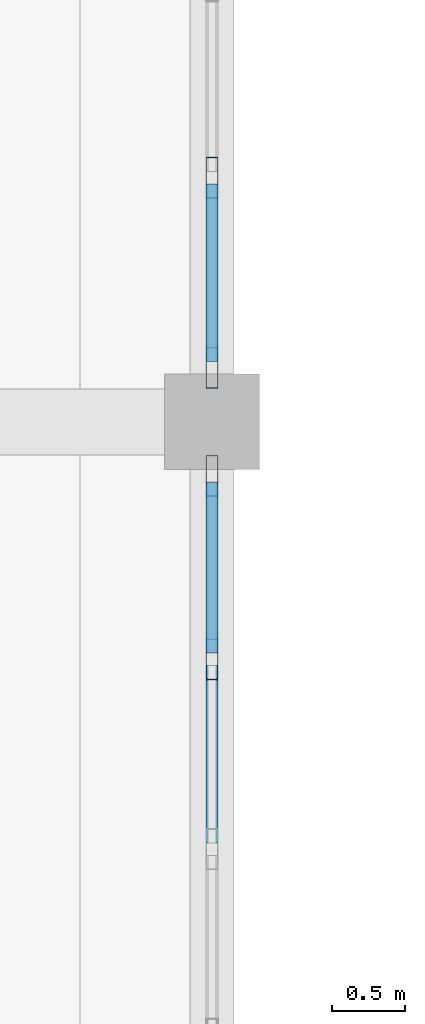
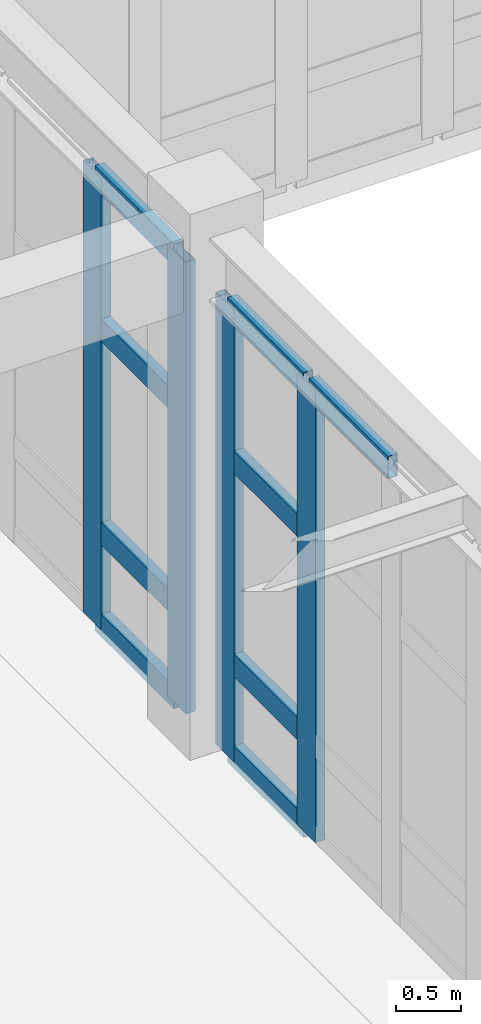
# One storey, part 29 of 80: 13 members, 2 elements without a shape of their own.
"""IFC4 building model written with IfcOpenShell, lengths in metres."""

from ifc_helpers import new_model, si_unit, direction, frame, origin, origin_2d, place, context, subcontext, project, spatial, hollow_rectangle, extrude, material, layer, layer_set, material_profile, profile_set, type_object, element, aggregate, save


model = new_model("IFC4")

# Units and contexts
model_context = context("Model", 3, precision=1e-05, world=origin(), true_north=direction((0.0, 1.0)))
body_context = subcontext(model_context, "Body", "Model", "MODEL_VIEW")
ifc_project = project(units=[si_unit("LENGTHUNIT", "METRE"), si_unit("AREAUNIT", "SQUARE_METRE"), si_unit("VOLUMEUNIT", "CUBIC_METRE"), si_unit("PLANEANGLEUNIT", "RADIAN"), si_unit("MASSUNIT", "GRAM", prefix="KILO")], contexts=[model_context])

# Site, building, storey
site_placement = place(None, origin())
site = spatial("IfcSite", under=ifc_project, at=site_placement, CompositionType="ELEMENT")
building_placement = place(site_placement, origin())
building = spatial("IfcBuilding", under=site, at=building_placement, Name="Krzemoval Escarpment Law Courts", CompositionType="ELEMENT")
storey_placement = place(building_placement, origin())
storey = spatial("IfcBuildingStorey", under=building, at=storey_placement, Name="L00", CompositionType="ELEMENT", Elevation=0.0)

# Curtain wall, members
ifc_material_1 = material(Name="Aluminium 6063-T6", Category="aluminium")
ifc_layer = layer(ifc_material_1, 0.280029296875)
ifc_layer_set = layer_set([ifc_layer], Name="Aluminium 6063-T6")
curtain_wall_type = type_object("IfcCurtainWallType", Name="CW-HALL-5100", PredefinedType="USERDEFINED", material=ifc_layer_set)
curtain_wall_1_placement = place(storey_placement, origin())
curtain_wall_1 = element("IfcCurtainWall", 1, at=curtain_wall_1_placement, inside=storey, type_object=curtain_wall_type, Name="Unitised Curtain Wall FCW-L00-015", ObjectType="UNITISED_CURTAIN_WALL", PredefinedType="USERDEFINED")
ifc_material_2 = material(Name="Aluminium 6063-T6", Category="aluminium")
ifc_material_profile_1 = material_profile(ifc_material_2, hollow_rectangle(XDim=0.0849609375, YDim=0.280029296875, WallThickness=0.005615234375, at=origin_2d()), Name="ALU M85x280")
ifc_profile_set_1 = profile_set([ifc_material_profile_1], Name="Aluminium 6063-T6")
member_type_1 = type_object("IfcMemberType", Name="CWM-85x280", PredefinedType="MULLION", material=ifc_profile_set_1)
member_1_placement = place(storey_placement, frame((42.0, 95.262451171875, 0.0), z_axis=(0.0, 0.0, 1.0), x_axis=(1.0, 0.0, 0.0)))
member_1 = element("IfcMember", 2, at=member_1_placement, type_object=member_type_1, Name="FCW-L00-015 mullion 4", PredefinedType="MULLION", context=body_context, shape_type="SweptSolid", body=[
    extrude(hollow_rectangle(XDim=0.0849609375, YDim=0.280029296875, WallThickness=0.005615234375, at=origin_2d()), origin(), (0.0, 0.0, 1.0), 4.219970703125),
])
member_2_placement = place(storey_placement, frame((42.0, 93.967529296875, 0.0), z_axis=(0.0, 0.0, 1.0), x_axis=(1.0, 0.0, 0.0)))
member_2 = element("IfcMember", 3, at=member_2_placement, type_object=member_type_1, Name="FCW-L00-015 mullion 5", PredefinedType="MULLION", context=body_context, shape_type="SweptSolid", body=[
    extrude(hollow_rectangle(XDim=0.0849609375, YDim=0.280029296875, WallThickness=0.005615234375, at=origin_2d()), origin(), (0.0, 0.0, 1.0), 4.219970703125),
])

curtain_wall_2_placement = place(storey_placement, origin())
curtain_wall_2 = element("IfcCurtainWall", 4, at=curtain_wall_2_placement, inside=storey, type_object=curtain_wall_type, Name="Unitised Curtain Wall FCW-L00-016", ObjectType="UNITISED_CURTAIN_WALL", PredefinedType="USERDEFINED")
member_3_placement = place(storey_placement, frame((42.0, 93.232421875, 0.0), z_axis=(0.0, 0.0, 1.0), x_axis=(1.0, 0.0, 0.0)))
member_3 = element("IfcMember", 5, at=member_3_placement, type_object=member_type_1, Name="FCW-L00-016 mullion 1", PredefinedType="MULLION", context=body_context, shape_type="SweptSolid", body=[
    extrude(hollow_rectangle(XDim=0.0849609375, YDim=0.280029296875, WallThickness=0.005615234375, at=origin_2d()), origin(), (0.0, 0.0, 1.0), 4.219970703125),
])
member_4_placement = place(storey_placement, frame((42.0, 91.9833984375, 0.0), z_axis=(0.0, 0.0, 1.0), x_axis=(1.0, 0.0, 0.0)))
member_4 = element("IfcMember", 6, at=member_4_placement, type_object=member_type_1, Name="FCW-L00-016 mullion 2", PredefinedType="MULLION", context=body_context, shape_type="SweptSolid", body=[
    extrude(hollow_rectangle(XDim=0.0849609375, YDim=0.280029296875, WallThickness=0.005615234375, at=origin_2d()), origin(), (0.0, 0.0, 1.0), 4.219970703125),
])

# Member
ifc_material_3 = material(Name="Aluminium 6063-T6", Category="aluminium")
ifc_material_profile_2 = material_profile(ifc_material_3, hollow_rectangle(XDim=0.0849609375, YDim=0.2099609375, WallThickness=0.005615234375, at=origin_2d()), Name="ALU T85x210")
ifc_profile_set_2 = profile_set([ifc_material_profile_2], Name="Aluminium 6063-T6")
member_type_2 = type_object("IfcMemberType", Name="CWT-85x210", PredefinedType="USERDEFINED", material=ifc_profile_set_2)
member_5_placement = place(storey_placement, frame((42.0, 95.219970703125, 0.04248046875), z_axis=(0.0, -1.0, 0.0), x_axis=(1.0, 0.0, 0.0)))
member_5 = element("IfcMember", 7, at=member_5_placement, type_object=member_type_2, Name="FCW-L00-015 transom 4.1", ObjectType="TRANSOM", PredefinedType="USERDEFINED", context=body_context, shape_type="SweptSolid", body=[
    extrude(hollow_rectangle(XDim=0.0849609375, YDim=0.2099609375, WallThickness=0.005615234375, at=origin_2d()), origin(), (0.0, 0.0, 1.0), 1.2099609375),
])

member_6_placement = place(storey_placement, frame((42.0, 95.219970703125, 0.89990234375), z_axis=(0.0, -1.0, 0.0), x_axis=(1.0, 0.0, 0.0)))
member_6 = element("IfcMember", 8, at=member_6_placement, type_object=member_type_2, Name="FCW-L00-015 transom 4.2", ObjectType="TRANSOM", PredefinedType="USERDEFINED", context=body_context, shape_type="SweptSolid", body=[
    extrude(hollow_rectangle(XDim=0.0849609375, YDim=0.2099609375, WallThickness=0.005615234375, at=origin_2d()), origin(), (0.0, 0.0, 1.0), 1.2099609375),
])

member_7_placement = place(storey_placement, frame((42.0, 95.219970703125, 2.800048828125), z_axis=(0.0, -1.0, 0.0), x_axis=(1.0, 0.0, 0.0)))
member_7 = element("IfcMember", 9, at=member_7_placement, type_object=member_type_2, Name="FCW-L00-015 transom 4.3", ObjectType="TRANSOM", PredefinedType="USERDEFINED", context=body_context, shape_type="SweptSolid", body=[
    extrude(hollow_rectangle(XDim=0.0849609375, YDim=0.2099609375, WallThickness=0.005615234375, at=origin_2d()), origin(), (0.0, 0.0, 1.0), 1.2099609375),
])

member_8_placement = place(storey_placement, frame((42.0, 95.219970703125, 4.177490234375), z_axis=(0.0, -1.0, 0.0), x_axis=(1.0, 0.0, 0.0)))
member_8 = element("IfcMember", 10, at=member_8_placement, type_object=member_type_2, Name="FCW-L00-015 transom 4.4", ObjectType="TRANSOM", PredefinedType="USERDEFINED", context=body_context, shape_type="SweptSolid", body=[
    extrude(hollow_rectangle(XDim=0.0849609375, YDim=0.2099609375, WallThickness=0.005615234375, at=origin_2d()), origin(), (0.0, 0.0, 1.0), 1.2099609375),
])

aggregate(curtain_wall_1, [member_1, member_2, member_5, member_6, member_7, member_8])

member_9_placement = place(storey_placement, frame((42.0, 93.18994140625, 0.04248046875), z_axis=(0.0, -1.0, 0.0), x_axis=(1.0, 0.0, 0.0)))
member_9 = element("IfcMember", 11, at=member_9_placement, type_object=member_type_2, Name="FCW-L00-016 transom 1.1", ObjectType="TRANSOM", PredefinedType="USERDEFINED", context=body_context, shape_type="SweptSolid", body=[
    extrude(hollow_rectangle(XDim=0.0849609375, YDim=0.2099609375, WallThickness=0.005615234375, at=origin_2d()), origin(), (0.0, 0.0, 1.0), 1.1640625),
])

member_10_placement = place(storey_placement, frame((42.0, 93.18994140625, 0.89990234375), z_axis=(0.0, -1.0, 0.0), x_axis=(1.0, 0.0, 0.0)))
member_10 = element("IfcMember", 12, at=member_10_placement, type_object=member_type_2, Name="FCW-L00-016 transom 1.2", ObjectType="TRANSOM", PredefinedType="USERDEFINED", context=body_context, shape_type="SweptSolid", body=[
    extrude(hollow_rectangle(XDim=0.0849609375, YDim=0.2099609375, WallThickness=0.005615234375, at=origin_2d()), origin(), (0.0, 0.0, 1.0), 1.1640625),
])

member_11_placement = place(storey_placement, frame((42.0, 93.18994140625, 2.800048828125), z_axis=(0.0, -1.0, 0.0), x_axis=(1.0, 0.0, 0.0)))
member_11 = element("IfcMember", 13, at=member_11_placement, type_object=member_type_2, Name="FCW-L00-016 transom 1.3", ObjectType="TRANSOM", PredefinedType="USERDEFINED", context=body_context, shape_type="SweptSolid", body=[
    extrude(hollow_rectangle(XDim=0.0849609375, YDim=0.2099609375, WallThickness=0.005615234375, at=origin_2d()), origin(), (0.0, 0.0, 1.0), 1.1640625),
])

member_12_placement = place(storey_placement, frame((42.0, 93.18994140625, 4.177490234375), z_axis=(0.0, -1.0, 0.0), x_axis=(1.0, 0.0, 0.0)))
member_12 = element("IfcMember", 14, at=member_12_placement, type_object=member_type_2, Name="FCW-L00-016 transom 1.4", ObjectType="TRANSOM", PredefinedType="USERDEFINED", context=body_context, shape_type="SweptSolid", body=[
    extrude(hollow_rectangle(XDim=0.0849609375, YDim=0.2099609375, WallThickness=0.005615234375, at=origin_2d()), origin(), (0.0, 0.0, 1.0), 1.1640625),
])

member_13_placement = place(storey_placement, frame((42.0, 91.94091796875, 4.177490234375), z_axis=(0.0, -1.0, 0.0), x_axis=(1.0, 0.0, 0.0)))
member_13 = element("IfcMember", 15, at=member_13_placement, type_object=member_type_2, Name="FCW-L00-016 transom 2.4", ObjectType="TRANSOM", PredefinedType="USERDEFINED", context=body_context, shape_type="SweptSolid", body=[
    extrude(hollow_rectangle(XDim=0.0849609375, YDim=0.2099609375, WallThickness=0.005615234375, at=origin_2d()), origin(), (0.0, 0.0, 1.0), 1.206787109375),
])

aggregate(curtain_wall_2, [member_3, member_4, member_9, member_10, member_11, member_12, member_13])

save(model, "model.ifc")
